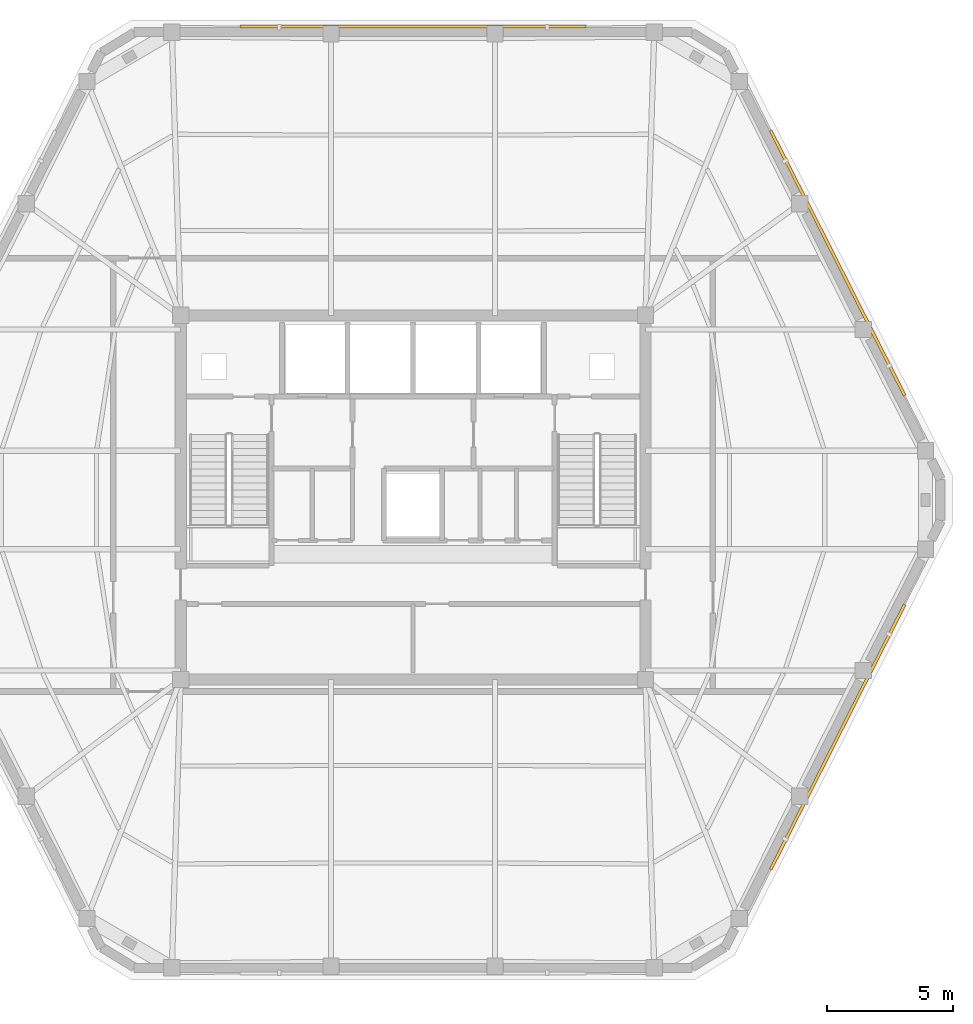
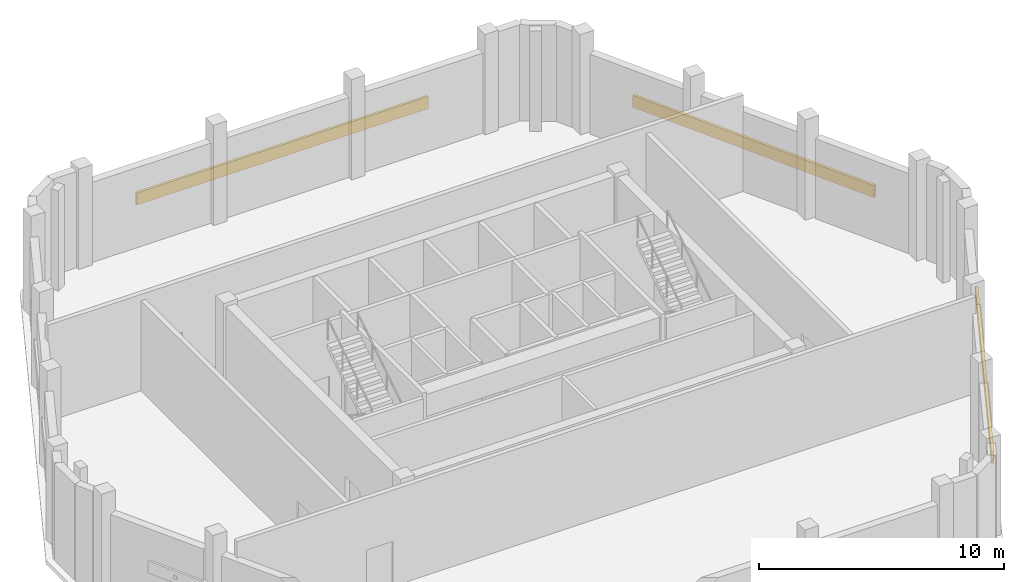
# One storey, part 8 of 8: 3 shading devices.
"""IFC4 building model written with IfcOpenShell, lengths in metres."""

from ifc_helpers import new_model, si_unit, direction, frame, origin, origin_2d, place, context, subcontext, project, spatial, rectangle, extrude, material, layer, layer_set, type_object, element, save


model = new_model("IFC4")

# Units and contexts
model_context = context("Model", 3, precision=1e-05, world=origin(), true_north=direction((0.0, 1.0)))
body_context = subcontext(model_context, "Body", "Model", "MODEL_VIEW")
ifc_project = project(units=[si_unit("LENGTHUNIT", "METRE"), si_unit("AREAUNIT", "SQUARE_METRE"), si_unit("VOLUMEUNIT", "CUBIC_METRE"), si_unit("PLANEANGLEUNIT", "RADIAN"), si_unit("MASSUNIT", "GRAM", prefix="KILO")], contexts=[model_context])

# Site, building, storey
site_placement = place(None, origin())
site = spatial("IfcSite", under=ifc_project, at=site_placement, CompositionType="ELEMENT")
building_placement = place(site_placement, origin())
building = spatial("IfcBuilding", under=site, at=building_placement, Name="Cinnabar Lancet Tower", CompositionType="ELEMENT")
storey_placement = place(building_placement, frame((0.0, 0.0, 295.5)))
storey = spatial("IfcBuildingStorey", under=building, at=storey_placement, Name="L78", CompositionType="ELEMENT", Elevation=295.5)

# Shading devices
ifc_material = material(Name="Anodized acoustic plant weather louvre", Category="aluminium")
ifc_layer = layer(ifc_material, 0.094970703125)
ifc_layer_set = layer_set([ifc_layer], Name="Anodized acoustic plant weather louvre")
shading_device_type = type_object("IfcShadingDeviceType", Name="ENV-SHD-LVR-600", PredefinedType="JALOUSIE", material=ifc_layer_set)
for number, where, z_axis, x_axis, name in (
    (1, (49.2509765625, 16.39404296875, 1.849853515625), (0.0, 0.0, 1.0), (0.451329261197, 0.892357494498, 0.0), "L78 Face 2 Acoustic Plant Weather Louvre"),
    (2, (49.2509765625, 35.2060546875, 1.849853515625), (0.0, 0.0, 1.0), (-0.451329261197, 0.892357494498, 0.0), "L78 Face 3 Acoustic Plant Weather Louvre"),
):
    element("IfcShadingDevice", number, at=place(storey_placement, frame(where, z_axis=z_axis, x_axis=x_axis)), inside=storey, type_object=shading_device_type, Name=name, PredefinedType="JALOUSIE", context=body_context, shape_type="SweptSolid", body=[
        extrude(rectangle(XDim=11.777099609375, YDim=0.1201171875, at=origin_2d()), origin(), (0.0, 0.0, 1.0), 0.60009765625),
    ])
shading_device_placement = place(storey_placement, frame((32.39990234375, 44.590087890625, 1.849853515625), z_axis=(0.0, 0.0, 1.0), x_axis=(-1.0, 0.0, 0.0)))
element("IfcShadingDevice", 3, at=shading_device_placement, inside=storey, type_object=shading_device_type, Name="L78 Face 4 Acoustic Plant Weather Louvre", PredefinedType="JALOUSIE", context=body_context, shape_type="SweptSolid", body=[
    extrude(rectangle(XDim=13.735107421875, YDim=0.1201171875, at=origin_2d()), origin(), (0.0, 0.0, 1.0), 0.60009765625),
])

save(model, "model.ifc")
